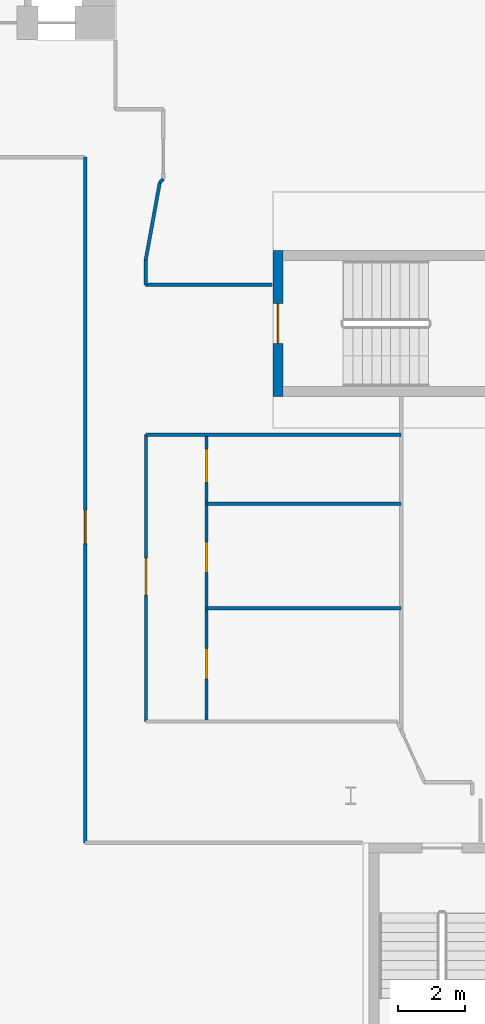
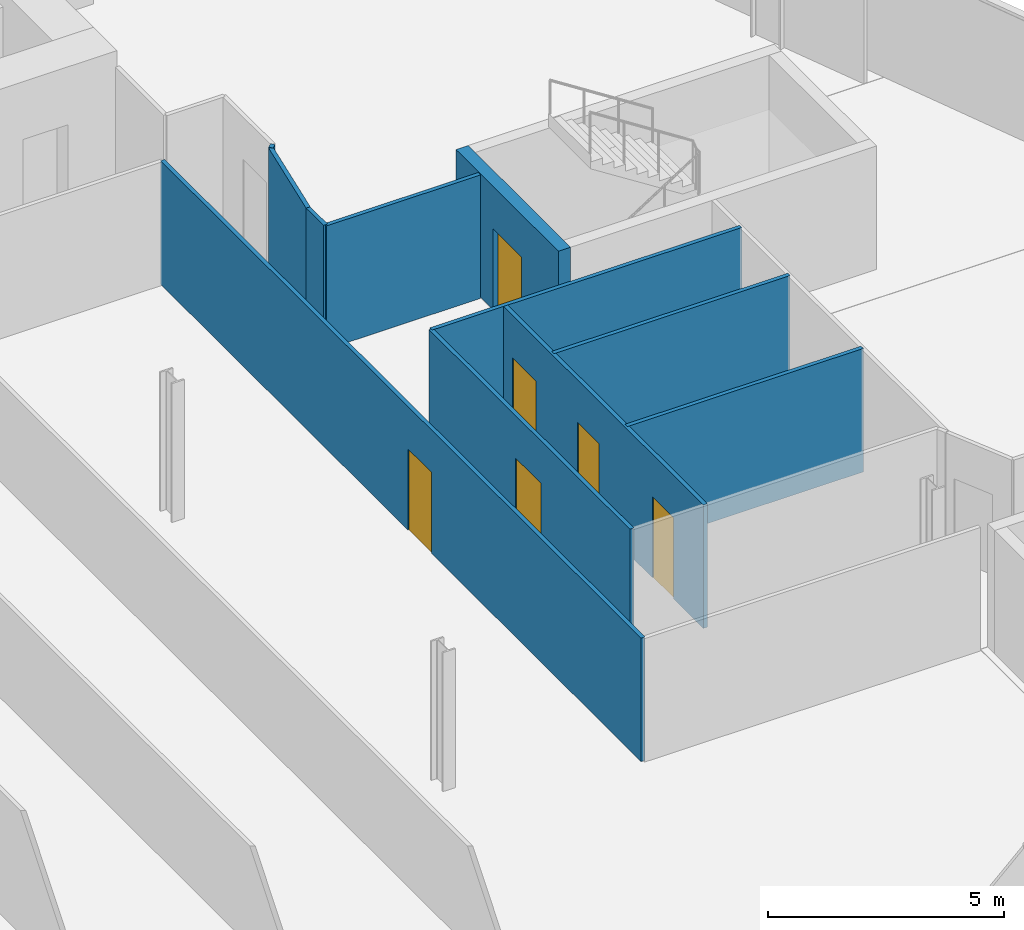
# One storey, part 14 of 25: 11 walls, 6 doors, 6 openings.
"""IFC4 building model written with IfcOpenShell, lengths in metres."""

from ifc_helpers import new_model, si_unit, direction, frame, frame_2d, origin, place, context, subcontext, project, spatial, rectangle, extrude, material, layer, layer_set, type_object, element, fill, save


model = new_model("IFC4")

# Units and contexts
model_context = context("Model", 3, precision=1e-05, world=origin(), true_north=direction((0.0, 1.0)))
body_context = subcontext(model_context, "Body", "Model", "MODEL_VIEW")
ifc_project = project(units=[si_unit("LENGTHUNIT", "METRE"), si_unit("AREAUNIT", "SQUARE_METRE"), si_unit("VOLUMEUNIT", "CUBIC_METRE"), si_unit("PLANEANGLEUNIT", "RADIAN"), si_unit("MASSUNIT", "GRAM", prefix="KILO")], contexts=[model_context])

# Site, building, storey
site_placement = place(None, origin())
site = spatial("IfcSite", under=ifc_project, at=site_placement, CompositionType="ELEMENT")
building_placement = place(site_placement, origin())
building = spatial("IfcBuilding", under=site, at=building_placement, Name="Wharfspan Tower", CompositionType="ELEMENT")
storey_placement = place(building_placement, frame((0.0, 0.0, 121.899902)))
storey = spatial("IfcBuildingStorey", under=building, at=storey_placement, Name="L28", CompositionType="ELEMENT", Elevation=121.899902)

# Wall, opening, door
ifc_material_1 = material(Name="Gypsum board on steel studs", Category="steel")
ifc_layer_1 = layer(ifc_material_1, 0.100098)
ifc_layer_set_1 = layer_set([ifc_layer_1], Name="Gypsum board on steel studs")
wall_type_1 = type_object("IfcWallType", Name="Compartment wall 100 EI 60", PredefinedType="PARTITIONING", material=ifc_layer_set_1)
wall_1_placement = place(storey_placement, frame((64.100098, 10.094971, 0.0), z_axis=(0.0, 0.0, 1.0), x_axis=(0.0, 1.0, 0.0)))
wall_1 = element("IfcWall", 1, at=wall_1_placement, inside=storey, type_object=wall_type_1, Name="Partition L28.w018", PredefinedType="PARTITIONING", context=body_context, shape_type="SweptSolid", body=[
    extrude(rectangle(XDim=20.405029, YDim=0.100098, at=frame_2d((10.202637, 0.0))), origin(), (0.0, 0.0, 1.0), 3.200195),
])
opening_1_placement = place(wall_1_placement, frame((8.905029, 0.0, 0.0)))
opening_1 = element("IfcOpeningElement", 2, at=opening_1_placement, cuts=wall_1, Name="Opening B4-06", PredefinedType="OPENING", context=body_context, shape_type="SweptSolid", body=[
    extrude(rectangle(XDim=1.0, YDim=2.100098, at=frame_2d((0.5, 1.050049))), frame((0.0, 0.060059, 0.0), z_axis=(0.0, -1.0, 0.0), x_axis=(1.0, 0.0, 0.0)), (0.0, 0.0, 1.0), 0.120117),
])
ifc_material_2 = material(Name="Fire-rated timber door leaf in steel frame", Category="steel")
door_type_1 = type_object("IfcDoorType", Name="Door 1000 FD30S Left", OperationType="SINGLE_SWING_LEFT", PredefinedType="DOOR", material=ifc_material_2)
door_1_placement = place(opening_1_placement, origin())
door_1 = element("IfcDoor", 3, at=door_1_placement, inside=storey, type_object=door_type_1, Name="Door B4-06", OperationType="SINGLE_SWING_LEFT", OverallHeight=2.100098, OverallWidth=1.0, PredefinedType="DOOR", context=body_context, shape_type="SweptSolid", body=[
    extrude(rectangle(XDim=1.0, YDim=2.100098, at=frame_2d((0.5, 1.050049))), frame((0.0, 0.024902, 0.0), z_axis=(0.0, -1.0, 0.0), x_axis=(1.0, 0.0, 0.0)), (0.0, 0.0, 1.0), 0.050049),
])
fill(opening_1, door_1)

# Walls
wall_2_placement = place(storey_placement, frame((65.899902, 26.699951, 0.0), z_axis=(0.0, 0.0, 1.0), x_axis=(0.0, 1.0, 0.0)))
element("IfcWall", 4, at=wall_2_placement, inside=storey, type_object=wall_type_1, Name="Partition L28.w022", PredefinedType="PARTITIONING", context=body_context, shape_type="SweptSolid", body=[
    extrude(rectangle(XDim=0.735107, YDim=0.100098, at=frame_2d((0.367676, 0.0))), origin(), (0.0, 0.0, 1.0), 3.200195),
])
wall_3_placement = place(storey_placement, frame((65.899902, 26.699951, 0.0), z_axis=(0.0, 0.0, 1.0), x_axis=(1.0, 0.0, 0.0)))
element("IfcWall", 5, at=wall_3_placement, inside=storey, type_object=wall_type_1, Name="Partition L28.w023", PredefinedType="PARTITIONING", context=body_context, shape_type="SweptSolid", body=[
    extrude(rectangle(XDim=3.770508, YDim=0.100098, at=frame_2d((1.885254, 0.0))), origin(), (0.0, 0.0, 1.0), 3.200195),
])
wall_4_placement = place(storey_placement, frame((65.899902, 27.435059, 0.0), z_axis=(0.0, 0.0, 1.0), x_axis=(0.178584, 0.983924, 0.0)))
element("IfcWall", 6, at=wall_4_placement, inside=storey, type_object=wall_type_1, Name="Partition L28.w024", PredefinedType="PARTITIONING", context=body_context, shape_type="SweptSolid", body=[
    extrude(rectangle(XDim=2.352783, YDim=0.100098, at=frame_2d((1.17627, 0.0))), origin(), (0.0, 0.0, 1.0), 3.200195),
])

# Wall, opening, door
wall_5_placement = place(storey_placement, frame((65.909912, 13.705078, 0.0), z_axis=(0.0, 0.0, 1.0), x_axis=(0.0, 1.0, 0.0)))
wall_5 = element("IfcWall", 7, at=wall_5_placement, inside=storey, type_object=wall_type_1, Name="Partition L28.w025", PredefinedType="PARTITIONING", context=body_context, shape_type="SweptSolid", body=[
    extrude(rectangle(XDim=8.534912, YDim=0.100098, at=frame_2d((4.267578, 0.0))), origin(), (0.0, 0.0, 1.0), 3.200195),
])
opening_2_placement = place(wall_5_placement, frame((3.77002, 0.0, 0.0)))
opening_2 = element("IfcOpeningElement", 8, at=opening_2_placement, cuts=wall_5, Name="Opening B4-03", PredefinedType="OPENING", context=body_context, shape_type="SweptSolid", body=[
    extrude(rectangle(XDim=1.100098, YDim=2.100098, at=frame_2d((0.550049, 1.050049))), frame((0.0, 0.060059, 0.0), z_axis=(0.0, -1.0, 0.0), x_axis=(1.0, 0.0, 0.0)), (0.0, 0.0, 1.0), 0.120117),
])
door_type_2 = type_object("IfcDoorType", Name="Door 1100 FD30S Right", OperationType="SINGLE_SWING_RIGHT", PredefinedType="DOOR", material=ifc_material_2)
door_2_placement = place(opening_2_placement, origin())
door_2 = element("IfcDoor", 9, at=door_2_placement, inside=storey, type_object=door_type_2, Name="Door B4-03", OperationType="SINGLE_SWING_RIGHT", OverallHeight=2.100098, OverallWidth=1.100098, PredefinedType="DOOR", context=body_context, shape_type="SweptSolid", body=[
    extrude(rectangle(XDim=1.100098, YDim=2.100098, at=frame_2d((0.550049, 1.050049))), frame((0.0, 0.024902, 0.0), z_axis=(0.0, -1.0, 0.0), x_axis=(1.0, 0.0, 0.0)), (0.0, 0.0, 1.0), 0.050049),
])
fill(opening_2, door_2)

# Walls
wall_6_placement = place(storey_placement, frame((65.909912, 22.23999, 0.0), z_axis=(0.0, 0.0, 1.0), x_axis=(1.0, 0.0, 0.0)))
element("IfcWall", 10, at=wall_6_placement, inside=storey, type_object=wall_type_1, Name="Partition L28.w027", PredefinedType="PARTITIONING", context=body_context, shape_type="SweptSolid", body=[
    extrude(rectangle(XDim=7.590088, YDim=0.100098, at=frame_2d((3.794922, 0.0))), origin(), (0.0, 0.0, 1.0), 3.200195),
])
wall_7_placement = place(storey_placement, frame((66.320068, 29.75, 0.0), z_axis=(0.0, 0.0, 1.0), x_axis=(0.741581, 0.670872, 0.0)))
element("IfcWall", 11, at=wall_7_placement, inside=storey, type_object=wall_type_1, Name="Partition L28.w028", PredefinedType="PARTITIONING", context=body_context, shape_type="SweptSolid", body=[
    extrude(rectangle(XDim=0.141602, YDim=0.100098, at=frame_2d((0.070801, 0.0))), origin(), (0.0, 0.0, 1.0), 3.200195),
])

# Wall, openings, doors
wall_8_placement = place(storey_placement, frame((67.709961, 13.705078, 0.0), z_axis=(0.0, 0.0, 1.0), x_axis=(0.0, 1.0, 0.0)))
wall_8 = element("IfcWall", 12, at=wall_8_placement, inside=storey, type_object=wall_type_1, Name="Partition L28.w030", PredefinedType="PARTITIONING", context=body_context, shape_type="SweptSolid", body=[
    extrude(rectangle(XDim=8.534912, YDim=0.100098, at=frame_2d((4.267578, 0.0))), origin(), (0.0, 0.0, 1.0), 3.200195),
])
opening_3_placement = place(wall_8_placement, frame((1.27002, 0.0, 0.0)))
opening_3 = element("IfcOpeningElement", 13, at=opening_3_placement, cuts=wall_8, Name="Opening B4-02", PredefinedType="OPENING", context=body_context, shape_type="SweptSolid", body=[
    extrude(rectangle(XDim=0.899902, YDim=2.100098, at=frame_2d((0.449951, 1.050049))), frame((0.0, 0.060059, 0.0), z_axis=(0.0, -1.0, 0.0), x_axis=(1.0, 0.0, 0.0)), (0.0, 0.0, 1.0), 0.120117),
])
opening_4_placement = place(wall_8_placement, frame((4.439941, 0.0, 0.0)))
opening_4 = element("IfcOpeningElement", 14, at=opening_4_placement, cuts=wall_8, Name="Opening B4-04", PredefinedType="OPENING", context=body_context, shape_type="SweptSolid", body=[
    extrude(rectangle(XDim=0.899902, YDim=2.100098, at=frame_2d((0.449951, 1.050049))), frame((0.0, 0.060059, 0.0), z_axis=(0.0, -1.0, 0.0), x_axis=(1.0, 0.0, 0.0)), (0.0, 0.0, 1.0), 0.120117),
])
opening_5_placement = place(wall_8_placement, frame((7.110107, 0.0, 0.0)))
opening_5 = element("IfcOpeningElement", 15, at=opening_5_placement, cuts=wall_8, Name="Opening B4-07", PredefinedType="OPENING", context=body_context, shape_type="SweptSolid", body=[
    extrude(rectangle(XDim=1.0, YDim=2.100098, at=frame_2d((0.5, 1.050049))), frame((0.0, 0.060059, 0.0), z_axis=(0.0, -1.0, 0.0), x_axis=(1.0, 0.0, 0.0)), (0.0, 0.0, 1.0), 0.120117),
])
ifc_material_3 = material(Name="Timber door leaf in steel frame", Category="steel")
door_type_3 = type_object("IfcDoorType", Name="Door 1000 NOT RATED Right", OperationType="SINGLE_SWING_RIGHT", PredefinedType="DOOR", material=ifc_material_3)
door_3_placement = place(opening_5_placement, origin())
door_3 = element("IfcDoor", 16, at=door_3_placement, inside=storey, type_object=door_type_3, Name="Door B4-07", OperationType="SINGLE_SWING_RIGHT", OverallHeight=2.100098, OverallWidth=1.0, PredefinedType="DOOR", context=body_context, shape_type="SweptSolid", body=[
    extrude(rectangle(XDim=1.0, YDim=2.100098, at=frame_2d((0.5, 1.050049))), frame((0.0, 0.024902, 0.0), z_axis=(0.0, -1.0, 0.0), x_axis=(1.0, 0.0, 0.0)), (0.0, 0.0, 1.0), 0.050049),
])
fill(opening_5, door_3)
door_type_4 = type_object("IfcDoorType", Name="Door 900 NOT RATED Left", OperationType="SINGLE_SWING_LEFT", PredefinedType="DOOR", material=ifc_material_3)
door_4_placement = place(opening_3_placement, origin())
door_4 = element("IfcDoor", 17, at=door_4_placement, inside=storey, type_object=door_type_4, Name="Door B4-02", OperationType="SINGLE_SWING_LEFT", OverallHeight=2.100098, OverallWidth=0.899902, PredefinedType="DOOR", context=body_context, shape_type="SweptSolid", body=[
    extrude(rectangle(XDim=0.899902, YDim=2.100098, at=frame_2d((0.449951, 1.050049))), frame((0.0, 0.024902, 0.0), z_axis=(0.0, -1.0, 0.0), x_axis=(1.0, 0.0, 0.0)), (0.0, 0.0, 1.0), 0.050049),
])
fill(opening_3, door_4)
door_type_5 = type_object("IfcDoorType", Name="Door 900 NOT RATED Right", OperationType="SINGLE_SWING_RIGHT", PredefinedType="DOOR", material=ifc_material_3)
door_5_placement = place(opening_4_placement, origin())
door_5 = element("IfcDoor", 18, at=door_5_placement, inside=storey, type_object=door_type_5, Name="Door B4-04", OperationType="SINGLE_SWING_RIGHT", OverallHeight=2.100098, OverallWidth=0.899902, PredefinedType="DOOR", context=body_context, shape_type="SweptSolid", body=[
    extrude(rectangle(XDim=0.899902, YDim=2.100098, at=frame_2d((0.449951, 1.050049))), frame((0.0, 0.024902, 0.0), z_axis=(0.0, -1.0, 0.0), x_axis=(1.0, 0.0, 0.0)), (0.0, 0.0, 1.0), 0.050049),
])
fill(opening_4, door_5)

# Walls
ifc_layer_2 = layer(ifc_material_1, 0.100098)
ifc_layer_set_2 = layer_set([ifc_layer_2], Name="Gypsum board on steel studs")
wall_type_2 = type_object("IfcWallType", Name="Partition 100", PredefinedType="PARTITIONING", material=ifc_layer_set_2)
for number, where, z_axis, x_axis, name in (
    (19, (67.709961, 17.074951, 0.0), (0.0, 0.0, 1.0), (1.0, 0.0, 0.0), "Partition L28.w031"),
    (20, (67.709961, 20.189941, 0.0), (0.0, 0.0, 1.0), (1.0, 0.0, 0.0), "Partition L28.w032"),
):
    element("IfcWall", number, at=place(storey_placement, frame(where, z_axis=z_axis, x_axis=x_axis)), inside=storey, type_object=wall_type_2, Name=name, PredefinedType="PARTITIONING", context=body_context, shape_type="SweptSolid", body=[
        extrude(rectangle(XDim=5.790039, YDim=0.100098, at=frame_2d((2.89502, 0.0))), origin(), (0.0, 0.0, 1.0), 3.200195),
    ])

# Wall, opening, door
ifc_material_4 = material(Name="Concrete C40/50", Category="concrete")
ifc_layer_3 = layer(ifc_material_4, 0.300049)
ifc_layer_set_3 = layer_set([ifc_layer_3], Name="Concrete C40/50")
wall_type_3 = type_object("IfcWallType", Name="Stair core wall 300", PredefinedType="SHEAR", material=ifc_layer_set_3)
wall_9_placement = place(storey_placement, frame((69.840332, 23.375, 0.0), z_axis=(0.0, 0.0, 1.0), x_axis=(0.0, 1.0, 0.0)))
wall_9 = element("IfcWall", 21, at=wall_9_placement, inside=storey, type_object=wall_type_3, Name="ST6 stair enclosure wall L28", PredefinedType="SHEAR", context=body_context, shape_type="SweptSolid", body=[
    extrude(rectangle(XDim=4.350098, YDim=0.300049, at=frame_2d((2.175049, 0.0))), origin(), (0.0, 0.0, 1.0), 3.200195),
])
opening_6_placement = place(wall_9_placement, frame((1.574951, 0.0, 0.0)))
opening_6 = element("IfcOpeningElement", 22, at=opening_6_placement, cuts=wall_9, Name="Opening SD6.L28", PredefinedType="OPENING", context=body_context, shape_type="SweptSolid", body=[
    extrude(rectangle(XDim=1.199951, YDim=2.100098, at=frame_2d((0.600098, 1.050049))), frame((0.0, 0.159912, 0.0), z_axis=(0.0, -1.0, 0.0), x_axis=(1.0, 0.0, 0.0)), (0.0, 0.0, 1.0), 0.320068),
])
ifc_material_5 = material(Name="Steel door leaf", Category="steel")
door_type_6 = type_object("IfcDoorType", Name="Stair door 1200x2100", OperationType="SINGLE_SWING_LEFT", PredefinedType="DOOR", material=ifc_material_5)
door_6_placement = place(opening_6_placement, origin())
door_6 = element("IfcDoor", 23, at=door_6_placement, inside=storey, type_object=door_type_6, Name="sd:L28:ST6z2", OperationType="SINGLE_SWING_RIGHT", OverallHeight=2.100098, OverallWidth=1.199951, PredefinedType="DOOR", context=body_context, shape_type="SweptSolid", body=[
    extrude(rectangle(XDim=1.199951, YDim=2.100098, at=frame_2d((0.600098, 1.050049))), frame((0.0, 0.024902, 0.0), z_axis=(0.0, -1.0, 0.0), x_axis=(1.0, 0.0, 0.0)), (0.0, 0.0, 1.0), 0.050049),
])
fill(opening_6, door_6)

save(model, "model.ifc")
